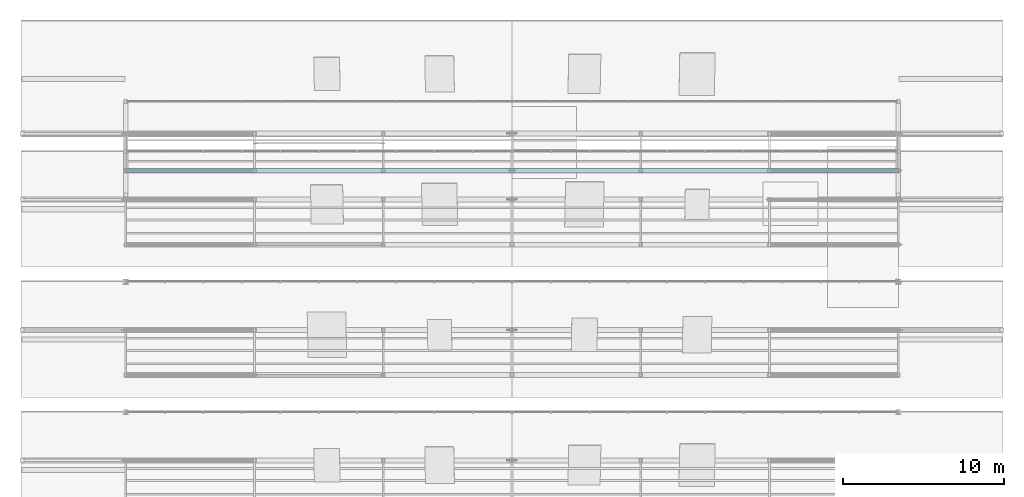
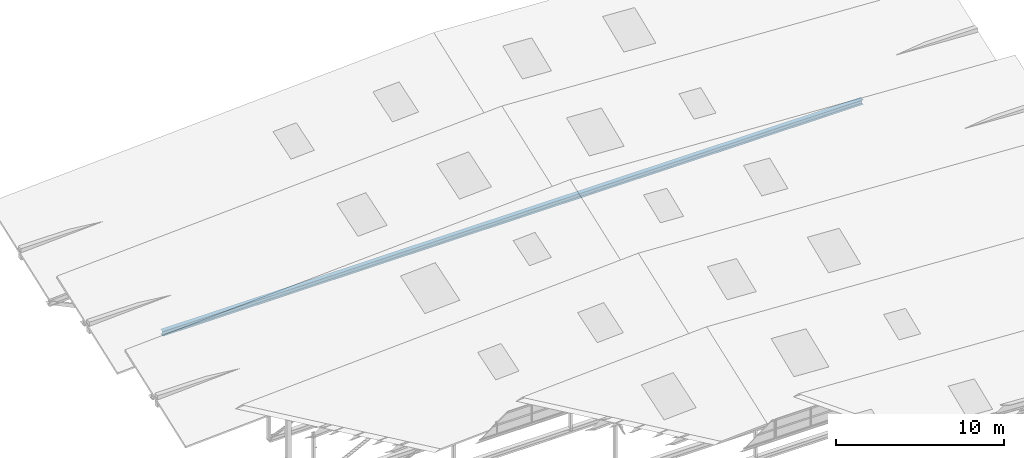
# One storey, part 95 of 141: 1 member.
"""IFC4 building model written with IfcOpenShell, lengths in metres."""

from ifc_helpers import new_model, si_unit, direction, frame, origin, origin_2d, place, context, subcontext, project, spatial, i_section, extrude, material, material_profile, profile_set, type_object, element, save


model = new_model("IFC4")

# Units and contexts
model_context = context("Model", 3, precision=1e-05, world=origin(), true_north=direction((0.0, 1.0)))
body_context = subcontext(model_context, "Body", "Model", "MODEL_VIEW")
ifc_project = project(units=[si_unit("LENGTHUNIT", "METRE"), si_unit("AREAUNIT", "SQUARE_METRE"), si_unit("VOLUMEUNIT", "CUBIC_METRE"), si_unit("PLANEANGLEUNIT", "RADIAN"), si_unit("MASSUNIT", "GRAM", prefix="KILO")], contexts=[model_context])

# Site, building, storey
site_placement = place(None, origin())
site = spatial("IfcSite", under=ifc_project, at=site_placement, CompositionType="ELEMENT")
building_placement = place(site_placement, origin())
building = spatial("IfcBuilding", under=site, at=building_placement, Name="Sundkrona Museum", CompositionType="ELEMENT")
storey_placement = place(building_placement, frame((0.0, 0.0, 34.0)))
storey = spatial("IfcBuildingStorey", under=building, at=storey_placement, Name="RF", CompositionType="ELEMENT", Elevation=34.0)

# Member
ifc_material = material(Name="Steel S355J2", Category="steel")
ifc_material_profile = material_profile(ifc_material, i_section(OverallWidth=0.300048828125, OverallDepth=0.35009765625, WebThickness=0.010009765625, FlangeThickness=0.017578125, FilletRadius=0.027099609375, at=origin_2d()), Name="HEA 360")
ifc_profile_set = profile_set([ifc_material_profile], Name="Steel S355J2")
member_type = type_object("IfcMemberType", Name="TC-HEA360", PredefinedType="CHORD", material=ifc_profile_set)
member_placement = place(storey_placement, frame((120.0, 41.5, -0.25), z_axis=(1.0, 0.0, 0.0), x_axis=(0.0, 1.0, 0.0)))
element("IfcMember", 1, at=member_placement, inside=storey, type_object=member_type, Name="RFS-1 Sawtooth Valley Truss 7 Bottom Chord", PredefinedType="CHORD", context=body_context, shape_type="SweptSolid", body=[
    extrude(i_section(OverallWidth=0.300048828125, OverallDepth=0.35009765625, WebThickness=0.010009765625, FlangeThickness=0.017578125, FilletRadius=0.027099609375, at=origin_2d()), origin(), (0.0, 0.0, 1.0), 48.0),
])

save(model, "model.ifc")
